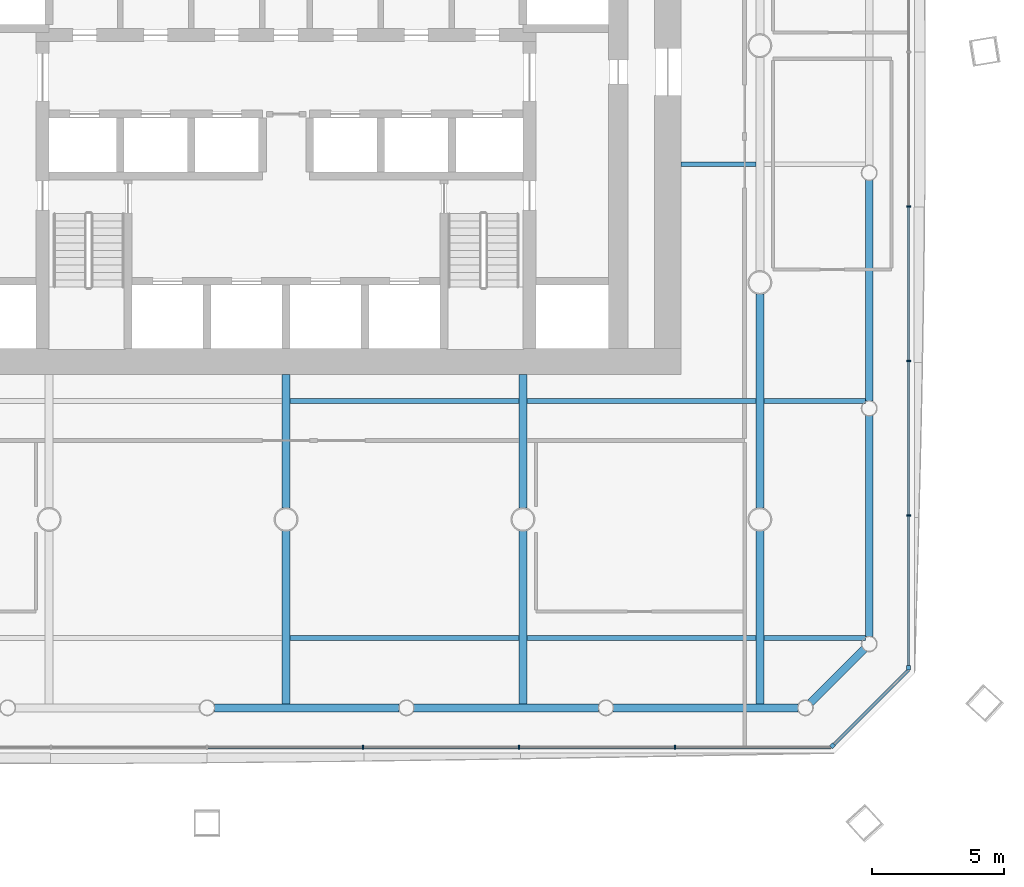
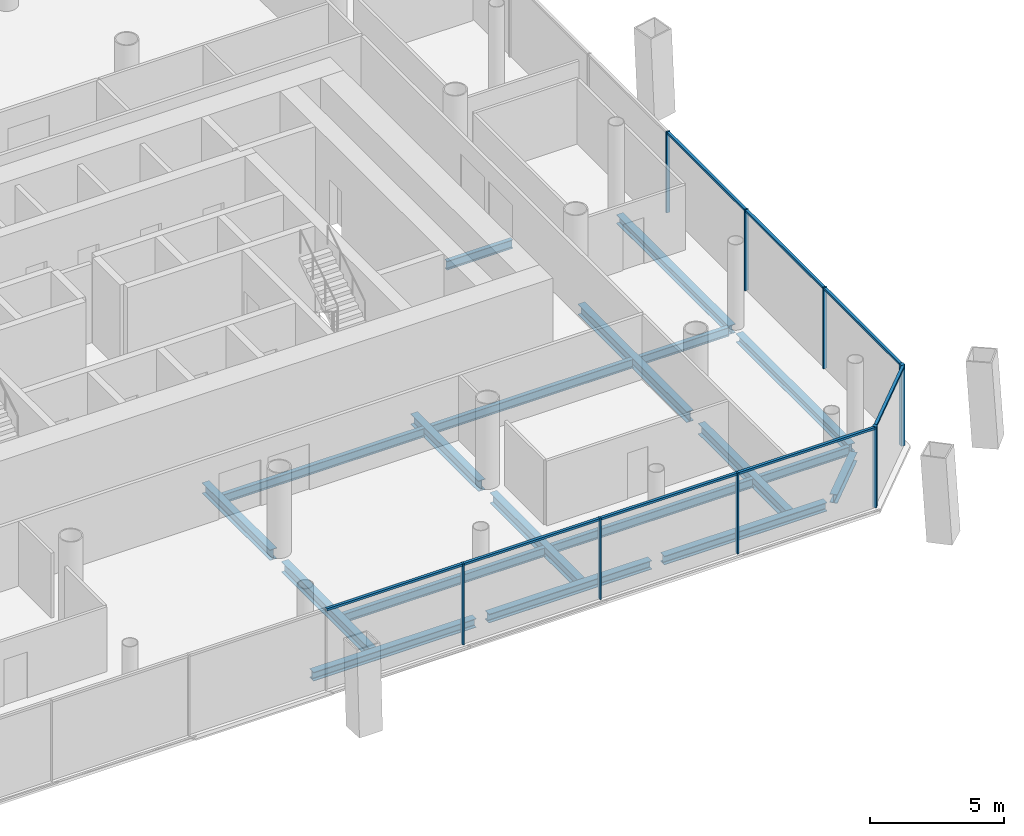
# One storey, part 5 of 21: 19 beams, 16 members, 3 elements without a shape of their own.
"""IFC4 building model written with IfcOpenShell, lengths in metres."""

from ifc_helpers import new_model, si_unit, direction, frame, origin, origin_2d, place, context, subcontext, project, spatial, rectangle, i_section, extrude, material, material_profile, profile_set, type_object, element, aggregate, save


model = new_model("IFC4")

# Units and contexts
model_context = context("Model", 3, precision=1e-05, world=origin(), true_north=direction((0.0, 1.0)))
body_context = subcontext(model_context, "Body", "Model", "MODEL_VIEW")
ifc_project = project(units=[si_unit("LENGTHUNIT", "METRE"), si_unit("AREAUNIT", "SQUARE_METRE"), si_unit("VOLUMEUNIT", "CUBIC_METRE"), si_unit("PLANEANGLEUNIT", "RADIAN"), si_unit("MASSUNIT", "GRAM", prefix="KILO")], contexts=[model_context])

# Site, building, storey
site_placement = place(None, origin())
site = spatial("IfcSite", under=ifc_project, at=site_placement, CompositionType="ELEMENT")
building_placement = place(site_placement, origin())
building = spatial("IfcBuilding", under=site, at=building_placement, Name="Tskaro Facet Tower", CompositionType="ELEMENT")
storey_placement = place(building_placement, frame((0.0, 0.0, 38.10009765625)))
storey = spatial("IfcBuildingStorey", under=building, at=storey_placement, Name="L08", CompositionType="ELEMENT", Elevation=38.10009765625)

# Curtain wall, member
ifc_material_1 = material(Name="Bronze anodised aluminium 6063-T6", Category="aluminium")
curtain_wall_type = type_object("IfcCurtainWallType", Name="Bronze office curtain wall (FW1)", PredefinedType="NOTDEFINED", material=ifc_material_1)
curtain_wall_1_placement = place(storey_placement, origin())
curtain_wall_1 = element("IfcCurtainWall", 1, at=curtain_wall_1_placement, inside=storey, type_object=curtain_wall_type, Name="FW1 south-east facet L08", PredefinedType="NOTDEFINED")
ifc_material_profile_1 = material_profile(ifc_material_1, rectangle(XDim=0.159912109375, YDim=0.159912109375, at=origin_2d()), Name="Corner post 160x160")
ifc_profile_set_1 = profile_set([ifc_material_profile_1], Name="Bronze anodised aluminium 6063-T6")
member_type_1 = type_object("IfcMemberType", Name="FW1 bronze corner post 160x160", PredefinedType="MULLION", material=ifc_profile_set_1)
member_1_placement = place(storey_placement, frame((20.76953125, -26.597412109375, 0.0), z_axis=(0.0, 0.0, 1.0), x_axis=(0.707106781187, 0.707106781187, 0.0)))
member_1 = element("IfcMember", 2, at=member_1_placement, type_object=member_type_1, Name="FW1 south-east corner post", PredefinedType="MULLION", context=body_context, shape_type="SweptSolid", body=[
    extrude(rectangle(XDim=0.159912109375, YDim=0.159912109375, at=origin_2d()), origin(), (0.0, 0.0, 1.0), 3.699951171875),
])

curtain_wall_2_placement = place(storey_placement, origin())
curtain_wall_2 = element("IfcCurtainWall", 3, at=curtain_wall_2_placement, inside=storey, type_object=curtain_wall_type, Name="FW1 east facet L08", PredefinedType="NOTDEFINED")
member_2_placement = place(storey_placement, frame((23.654052734375, -23.633056640625, 0.0), z_axis=(0.0, 0.0, 1.0), x_axis=(0.0, 1.0, 0.0)))
member_2 = element("IfcMember", 4, at=member_2_placement, type_object=member_type_1, Name="FW1 east corner post", PredefinedType="MULLION", context=body_context, shape_type="SweptSolid", body=[
    extrude(rectangle(XDim=0.159912109375, YDim=0.159912109375, at=origin_2d()), origin(), (0.0, 0.0, 1.0), 3.699951171875),
])

# Curtain wall, members
curtain_wall_3_placement = place(storey_placement, origin())
curtain_wall_3 = element("IfcCurtainWall", 5, at=curtain_wall_3_placement, inside=storey, type_object=curtain_wall_type, Name="FW1 south facet L08", PredefinedType="NOTDEFINED")
ifc_material_profile_2 = material_profile(ifc_material_1, rectangle(XDim=0.06005859375, YDim=0.159912109375, at=origin_2d()), Name="Mullion 60x160")
ifc_profile_set_2 = profile_set([ifc_material_profile_2], Name="Bronze anodised aluminium 6063-T6")
member_type_2 = type_object("IfcMemberType", Name="FW1 bronze mullion 60x160", PredefinedType="MULLION", material=ifc_profile_set_2)
member_3_placement = place(storey_placement, frame((2.92822265625, -26.654052734375, 0.0), z_axis=(0.0, 0.0, 1.0), x_axis=(1.0, 0.0, 0.0)))
member_3 = element("IfcMember", 6, at=member_3_placement, type_object=member_type_2, Name="FW1 south mullion 5", PredefinedType="MULLION", context=body_context, shape_type="SweptSolid", body=[
    extrude(rectangle(XDim=0.06005859375, YDim=0.159912109375, at=origin_2d()), origin(), (0.0, 0.0, 1.0), 3.699951171875),
])
member_4_placement = place(storey_placement, frame((8.8564453125, -26.654052734375, 0.0), z_axis=(0.0, 0.0, 1.0), x_axis=(1.0, 0.0, 0.0)))
member_4 = element("IfcMember", 7, at=member_4_placement, type_object=member_type_2, Name="FW1 south mullion 6", PredefinedType="MULLION", context=body_context, shape_type="SweptSolid", body=[
    extrude(rectangle(XDim=0.06005859375, YDim=0.159912109375, at=origin_2d()), origin(), (0.0, 0.0, 1.0), 3.699951171875),
])
member_5_placement = place(storey_placement, frame((14.78466796875, -26.654052734375, 0.0), z_axis=(0.0, 0.0, 1.0), x_axis=(1.0, 0.0, 0.0)))
member_5 = element("IfcMember", 8, at=member_5_placement, type_object=member_type_2, Name="FW1 south mullion 7", PredefinedType="MULLION", context=body_context, shape_type="SweptSolid", body=[
    extrude(rectangle(XDim=0.06005859375, YDim=0.159912109375, at=origin_2d()), origin(), (0.0, 0.0, 1.0), 3.699951171875),
])

# Member
member_6_placement = place(storey_placement, frame((23.654052734375, -17.844482421875, 0.0), z_axis=(0.0, 0.0, 1.0), x_axis=(0.0, 1.0, 0.0)))
member_6 = element("IfcMember", 9, at=member_6_placement, type_object=member_type_2, Name="FW1 east mullion 1", PredefinedType="MULLION", context=body_context, shape_type="SweptSolid", body=[
    extrude(rectangle(XDim=0.06005859375, YDim=0.159912109375, at=origin_2d()), origin(), (0.0, 0.0, 1.0), 3.699951171875),
])

member_7_placement = place(storey_placement, frame((23.654052734375, -11.97607421875, 0.0), z_axis=(0.0, 0.0, 1.0), x_axis=(0.0, 1.0, 0.0)))
member_7 = element("IfcMember", 10, at=member_7_placement, type_object=member_type_2, Name="FW1 east mullion 2", PredefinedType="MULLION", context=body_context, shape_type="SweptSolid", body=[
    extrude(rectangle(XDim=0.06005859375, YDim=0.159912109375, at=origin_2d()), origin(), (0.0, 0.0, 1.0), 3.699951171875),
])

member_8_placement = place(storey_placement, frame((23.654052734375, -6.107421875, 0.0), z_axis=(0.0, 0.0, 1.0), x_axis=(0.0, 1.0, 0.0)))
member_8 = element("IfcMember", 11, at=member_8_placement, type_object=member_type_2, Name="FW1 east mullion 3", PredefinedType="MULLION", context=body_context, shape_type="SweptSolid", body=[
    extrude(rectangle(XDim=0.06005859375, YDim=0.159912109375, at=origin_2d()), origin(), (0.0, 0.0, 1.0), 3.699951171875),
])

ifc_material_profile_3 = material_profile(ifc_material_1, rectangle(XDim=0.1201171875, YDim=0.10009765625, at=origin_2d()), Name="Transom 120x100")
ifc_profile_set_3 = profile_set([ifc_material_profile_3], Name="Bronze anodised aluminium 6063-T6")
member_type_3 = type_object("IfcMemberType", Name="FW1 bronze transom 120x100", PredefinedType="USERDEFINED", material=ifc_profile_set_3)
member_9_placement = place(storey_placement, frame((-2.969970703125, -26.654052734375, 3.64990234375), z_axis=(1.0, 0.0, 0.0), x_axis=(0.0, 1.0, 0.0)))
member_9 = element("IfcMember", 12, at=member_9_placement, type_object=member_type_3, Name="FW1 south transom 5.1", ObjectType="TRANSOM", PredefinedType="USERDEFINED", context=body_context, shape_type="SweptSolid", body=[
    extrude(rectangle(XDim=0.1201171875, YDim=0.10009765625, at=origin_2d()), origin(), (0.0, 0.0, 1.0), 5.8681640625),
])

member_10_placement = place(storey_placement, frame((2.958251953125, -26.654052734375, 3.64990234375), z_axis=(1.0, 0.0, 0.0), x_axis=(0.0, 1.0, 0.0)))
member_10 = element("IfcMember", 13, at=member_10_placement, type_object=member_type_3, Name="FW1 south transom 6.1", ObjectType="TRANSOM", PredefinedType="USERDEFINED", context=body_context, shape_type="SweptSolid", body=[
    extrude(rectangle(XDim=0.1201171875, YDim=0.10009765625, at=origin_2d()), origin(), (0.0, 0.0, 1.0), 5.8681640625),
])

member_11_placement = place(storey_placement, frame((8.886474609375, -26.654052734375, 3.64990234375), z_axis=(1.0, 0.0, 0.0), x_axis=(0.0, 1.0, 0.0)))
member_11 = element("IfcMember", 14, at=member_11_placement, type_object=member_type_3, Name="FW1 south transom 7.1", ObjectType="TRANSOM", PredefinedType="USERDEFINED", context=body_context, shape_type="SweptSolid", body=[
    extrude(rectangle(XDim=0.1201171875, YDim=0.10009765625, at=origin_2d()), origin(), (0.0, 0.0, 1.0), 5.8681640625),
])

member_12_placement = place(storey_placement, frame((14.814697265625, -26.654052734375, 3.64990234375), z_axis=(1.0, 0.0, 0.0), x_axis=(0.0, 1.0, 0.0)))
member_12 = element("IfcMember", 15, at=member_12_placement, type_object=member_type_3, Name="FW1 south transom 8.1", ObjectType="TRANSOM", PredefinedType="USERDEFINED", context=body_context, shape_type="SweptSolid", body=[
    extrude(rectangle(XDim=0.1201171875, YDim=0.10009765625, at=origin_2d()), origin(), (0.0, 0.0, 1.0), 5.898193359375),
])

aggregate(curtain_wall_3, [member_3, member_4, member_5, member_9, member_10, member_11, member_12])

member_13_placement = place(storey_placement, frame((20.826171875, -26.540771484375, 3.64990234375), z_axis=(0.707106781187, 0.707106781187, 0.0), x_axis=(-0.707106781187, 0.707106781187, 0.0)))
member_13 = element("IfcMember", 16, at=member_13_placement, type_object=member_type_3, Name="FW1 south-east transom 1.1", ObjectType="TRANSOM", PredefinedType="USERDEFINED", context=body_context, shape_type="SweptSolid", body=[
    extrude(rectangle(XDim=0.1201171875, YDim=0.10009765625, at=origin_2d()), origin(), (0.0, 0.0, 1.0), 3.999267578125),
])

aggregate(curtain_wall_1, [member_1, member_13])

member_14_placement = place(storey_placement, frame((23.654052734375, -23.552978515625, 3.64990234375), z_axis=(0.0, 1.0, 0.0), x_axis=(-1.0, 0.0, 0.0)))
member_14 = element("IfcMember", 17, at=member_14_placement, type_object=member_type_3, Name="FW1 east transom 1.1", ObjectType="TRANSOM", PredefinedType="USERDEFINED", context=body_context, shape_type="SweptSolid", body=[
    extrude(rectangle(XDim=0.1201171875, YDim=0.10009765625, at=origin_2d()), origin(), (0.0, 0.0, 1.0), 5.678466796875),
])

member_15_placement = place(storey_placement, frame((23.654052734375, -17.814453125, 3.64990234375), z_axis=(0.0, 1.0, 0.0), x_axis=(-1.0, 0.0, 0.0)))
member_15 = element("IfcMember", 18, at=member_15_placement, type_object=member_type_3, Name="FW1 east transom 2.1", ObjectType="TRANSOM", PredefinedType="USERDEFINED", context=body_context, shape_type="SweptSolid", body=[
    extrude(rectangle(XDim=0.1201171875, YDim=0.10009765625, at=origin_2d()), origin(), (0.0, 0.0, 1.0), 5.808349609375),
])

member_16_placement = place(storey_placement, frame((23.654052734375, -11.946044921875, 3.64990234375), z_axis=(0.0, 1.0, 0.0), x_axis=(-1.0, 0.0, 0.0)))
member_16 = element("IfcMember", 19, at=member_16_placement, type_object=member_type_3, Name="FW1 east transom 3.1", ObjectType="TRANSOM", PredefinedType="USERDEFINED", context=body_context, shape_type="SweptSolid", body=[
    extrude(rectangle(XDim=0.1201171875, YDim=0.10009765625, at=origin_2d()), origin(), (0.0, 0.0, 1.0), 5.80859375),
])

aggregate(curtain_wall_2, [member_2, member_6, member_7, member_8, member_14, member_15, member_16])

# Beams
ifc_material_2 = material(Name="Steel S355J2", Category="steel")
ifc_material_profile_4 = material_profile(ifc_material_2, i_section(OverallWidth=0.300048828125, OverallDepth=0.39990234375, WebThickness=0.013427734375, FlangeThickness=0.02392578125, FilletRadius=0.027099609375, at=origin_2d()), Name="HE 400 B")
ifc_profile_set_4 = profile_set([ifc_material_profile_4], Name="Steel S355J2")
beam_type_1 = type_object("IfcBeamType", Name="HE 400 B ring beam", PredefinedType="BEAM", material=ifc_profile_set_4)
beam_1_placement = place(storey_placement, frame((-2.72509765625, -25.156982421875, -0.340087890625), z_axis=(1.0, 0.0, 0.0), x_axis=(0.0, 1.0, 0.0)))
element("IfcBeam", 20, at=beam_1_placement, inside=storey, type_object=beam_type_1, Name="HE 400 B EB4-1", PredefinedType="BEAM", context=body_context, shape_type="SweptSolid", body=[
    extrude(i_section(OverallWidth=0.300048828125, OverallDepth=0.39990234375, WebThickness=0.013427734375, FlangeThickness=0.02392578125, FilletRadius=0.027099609375, at=origin_2d()), origin(), (0.0, 0.0, 1.0), 7.026123046875),
])
beam_2_placement = place(storey_placement, frame((4.85107421875, -25.156982421875, -0.340087890625), z_axis=(1.0, 0.0, 0.0), x_axis=(0.0, 1.0, 0.0)))
element("IfcBeam", 21, at=beam_2_placement, inside=storey, type_object=beam_type_1, Name="HE 400 B EB5-1", PredefinedType="BEAM", context=body_context, shape_type="SweptSolid", body=[
    extrude(i_section(OverallWidth=0.300048828125, OverallDepth=0.39990234375, WebThickness=0.013427734375, FlangeThickness=0.02392578125, FilletRadius=0.027099609375, at=origin_2d()), origin(), (0.0, 0.0, 1.0), 7.02685546875),
])
beam_3_placement = place(storey_placement, frame((12.427978515625, -25.156982421875, -0.340087890625), z_axis=(1.0, 0.0, 0.0), x_axis=(0.0, 1.0, 0.0)))
element("IfcBeam", 22, at=beam_3_placement, inside=storey, type_object=beam_type_1, Name="HE 400 B EB6-1", PredefinedType="BEAM", context=body_context, shape_type="SweptSolid", body=[
    extrude(i_section(OverallWidth=0.300048828125, OverallDepth=0.39990234375, WebThickness=0.013427734375, FlangeThickness=0.02392578125, FilletRadius=0.027099609375, at=origin_2d()), origin(), (0.0, 0.0, 1.0), 7.026123046875),
])
beam_4_placement = place(storey_placement, frame((19.92333984375, -24.962646484375, -0.340087890625), z_axis=(0.707106781187, 0.707106781187, 0.0), x_axis=(-0.707106781187, 0.707106781187, 0.0)))
element("IfcBeam", 23, at=beam_4_placement, inside=storey, type_object=beam_type_1, Name="HE 400 B EB7-1", PredefinedType="BEAM", context=body_context, shape_type="SweptSolid", body=[
    extrude(i_section(OverallWidth=0.300048828125, OverallDepth=0.39990234375, WebThickness=0.013427734375, FlangeThickness=0.02392578125, FilletRadius=0.027099609375, at=origin_2d()), origin(), (0.0, 0.0, 1.0), 2.884033203125),
])
for number, where, z_axis, x_axis, name in (
    (24, (22.156982421875, -22.4541015625, -0.340087890625), (0.0, 1.0, 0.0), (-1.0, 0.0, 0.0), "HE 400 B EB8-1"),
    (25, (22.156982421875, -13.506103515625, -0.340087890625), (0.0, 1.0, 0.0), (-1.0, 0.0, 0.0), "HE 400 B EB9-1"),
):
    element("IfcBeam", number, at=place(storey_placement, frame(where, z_axis=z_axis, x_axis=x_axis)), inside=storey, type_object=beam_type_1, Name=name, PredefinedType="BEAM", context=body_context, shape_type="SweptSolid", body=[
        extrude(i_section(OverallWidth=0.300048828125, OverallDepth=0.39990234375, WebThickness=0.013427734375, FlangeThickness=0.02392578125, FilletRadius=0.027099609375, at=origin_2d()), origin(), (0.0, 0.0, 1.0), 8.398193359375),
    ])
ifc_material_profile_5 = material_profile(ifc_material_2, i_section(OverallWidth=0.300048828125, OverallDepth=0.489990234375, WebThickness=0.011962890625, FlangeThickness=0.02294921875, FilletRadius=0.027099609375, at=origin_2d()), Name="HE 500 A")
ifc_profile_set_5 = profile_set([ifc_material_profile_5], Name="Steel S355J2")
beam_type_2 = type_object("IfcBeamType", Name="HE 500 A girder", PredefinedType="BEAM", material=ifc_profile_set_5)
beam_5_placement = place(storey_placement, frame((0.0, -25.007080078125, -0.385009765625), z_axis=(0.0, 1.0, 0.0), x_axis=(-1.0, 0.0, 0.0)))
element("IfcBeam", 26, at=beam_5_placement, inside=storey, type_object=beam_type_2, Name="HE 500 A GB4-1-1", PredefinedType="BEAM", context=body_context, shape_type="SweptSolid", body=[
    extrude(i_section(OverallWidth=0.300048828125, OverallDepth=0.489990234375, WebThickness=0.011962890625, FlangeThickness=0.02294921875, FilletRadius=0.027099609375, at=origin_2d()), origin(), (0.0, 0.0, 1.0), 6.579833984375),
])
beam_6_placement = place(storey_placement, frame((0.0, -17.57275390625, -0.385009765625), z_axis=(0.0, 1.0, 0.0), x_axis=(-1.0, 0.0, 0.0)))
element("IfcBeam", 27, at=beam_6_placement, inside=storey, type_object=beam_type_2, Name="HE 500 A GB4-2-1", PredefinedType="BEAM", context=body_context, shape_type="SweptSolid", body=[
    extrude(i_section(OverallWidth=0.300048828125, OverallDepth=0.489990234375, WebThickness=0.011962890625, FlangeThickness=0.02294921875, FilletRadius=0.027099609375, at=origin_2d()), origin(), (0.0, 0.0, 1.0), 5.07275390625),
])
beam_7_placement = place(storey_placement, frame((9.0, -25.007080078125, -0.385009765625), z_axis=(0.0, 1.0, 0.0), x_axis=(-1.0, 0.0, 0.0)))
element("IfcBeam", 28, at=beam_7_placement, inside=storey, type_object=beam_type_2, Name="HE 500 A GB5-1-1", PredefinedType="BEAM", context=body_context, shape_type="SweptSolid", body=[
    extrude(i_section(OverallWidth=0.300048828125, OverallDepth=0.489990234375, WebThickness=0.011962890625, FlangeThickness=0.02294921875, FilletRadius=0.027099609375, at=origin_2d()), origin(), (0.0, 0.0, 1.0), 6.579833984375),
])
beam_8_placement = place(storey_placement, frame((9.0, -17.57275390625, -0.385009765625), z_axis=(0.0, 1.0, 0.0), x_axis=(-1.0, 0.0, 0.0)))
element("IfcBeam", 29, at=beam_8_placement, inside=storey, type_object=beam_type_2, Name="HE 500 A GB5-2-1", PredefinedType="BEAM", context=body_context, shape_type="SweptSolid", body=[
    extrude(i_section(OverallWidth=0.300048828125, OverallDepth=0.489990234375, WebThickness=0.011962890625, FlangeThickness=0.02294921875, FilletRadius=0.027099609375, at=origin_2d()), origin(), (0.0, 0.0, 1.0), 5.07275390625),
])
beam_9_placement = place(storey_placement, frame((18.0, -25.007080078125, -0.385009765625), z_axis=(0.0, 1.0, 0.0), x_axis=(-1.0, 0.0, 0.0)))
element("IfcBeam", 30, at=beam_9_placement, inside=storey, type_object=beam_type_2, Name="HE 500 A GB6-1-1", PredefinedType="BEAM", context=body_context, shape_type="SweptSolid", body=[
    extrude(i_section(OverallWidth=0.300048828125, OverallDepth=0.489990234375, WebThickness=0.011962890625, FlangeThickness=0.02294921875, FilletRadius=0.027099609375, at=origin_2d()), origin(), (0.0, 0.0, 1.0), 6.579833984375),
])
beam_10_placement = place(storey_placement, frame((18.0, -17.57275390625, -0.385009765625), z_axis=(0.0, 1.0, 0.0), x_axis=(-1.0, 0.0, 0.0)))
element("IfcBeam", 31, at=beam_10_placement, inside=storey, type_object=beam_type_2, Name="HE 500 A GB6-2-1", PredefinedType="BEAM", context=body_context, shape_type="SweptSolid", body=[
    extrude(i_section(OverallWidth=0.300048828125, OverallDepth=0.489990234375, WebThickness=0.011962890625, FlangeThickness=0.02294921875, FilletRadius=0.027099609375, at=origin_2d()), origin(), (0.0, 0.0, 1.0), 8.1455078125),
])
ifc_material_profile_6 = material_profile(ifc_material_2, i_section(OverallWidth=0.179931640625, OverallDepth=0.39990234375, WebThickness=0.008544921875, FlangeThickness=0.013427734375, FilletRadius=0.02099609375, at=origin_2d()), Name="IPE 400")
ifc_profile_set_6 = profile_set([ifc_material_profile_6], Name="Steel S355J2")
beam_type_3 = type_object("IfcBeamType", Name="IPE 400 secondary beam", PredefinedType="BEAM", material=ifc_profile_set_6)
for number, where, z_axis, x_axis, name in (
    (32, (0.14990234375, -22.5, -0.340087890625), (1.0, 0.0, 0.0), (0.0, 1.0, 0.0), "IPE 400 SB1a-4-1"),
    (33, (9.14990234375, -22.5, -0.340087890625), (1.0, 0.0, 0.0), (0.0, 1.0, 0.0), "IPE 400 SB1a-5-1"),
):
    element("IfcBeam", number, at=place(storey_placement, frame(where, z_axis=z_axis, x_axis=x_axis)), inside=storey, type_object=beam_type_3, Name=name, PredefinedType="BEAM", context=body_context, shape_type="SweptSolid", body=[
        extrude(i_section(OverallWidth=0.179931640625, OverallDepth=0.39990234375, WebThickness=0.008544921875, FlangeThickness=0.013427734375, FilletRadius=0.02099609375, at=origin_2d()), origin(), (0.0, 0.0, 1.0), 8.7001953125),
    ])
beam_11_placement = place(storey_placement, frame((18.14990234375, -22.5, -0.340087890625), z_axis=(1.0, 0.0, 0.0), x_axis=(0.0, 1.0, 0.0)))
element("IfcBeam", 34, at=beam_11_placement, inside=storey, type_object=beam_type_3, Name="IPE 400 SB1a-6-1", PredefinedType="BEAM", context=body_context, shape_type="SweptSolid", body=[
    extrude(i_section(OverallWidth=0.179931640625, OverallDepth=0.39990234375, WebThickness=0.008544921875, FlangeThickness=0.013427734375, FilletRadius=0.02099609375, at=origin_2d()), origin(), (0.0, 0.0, 1.0), 3.857177734375),
])
for number, where, z_axis, x_axis, name in (
    (35, (0.14990234375, -13.5, -0.340087890625), (1.0, 0.0, 0.0), (0.0, 1.0, 0.0), "IPE 400 SB2a-4-1"),
    (36, (9.14990234375, -13.5, -0.340087890625), (1.0, 0.0, 0.0), (0.0, 1.0, 0.0), "IPE 400 SB2a-5-1"),
):
    element("IfcBeam", number, at=place(storey_placement, frame(where, z_axis=z_axis, x_axis=x_axis)), inside=storey, type_object=beam_type_3, Name=name, PredefinedType="BEAM", context=body_context, shape_type="SweptSolid", body=[
        extrude(i_section(OverallWidth=0.179931640625, OverallDepth=0.39990234375, WebThickness=0.008544921875, FlangeThickness=0.013427734375, FilletRadius=0.02099609375, at=origin_2d()), origin(), (0.0, 0.0, 1.0), 8.7001953125),
    ])
beam_12_placement = place(storey_placement, frame((18.14990234375, -13.5, -0.340087890625), z_axis=(1.0, 0.0, 0.0), x_axis=(0.0, 1.0, 0.0)))
element("IfcBeam", 37, at=beam_12_placement, inside=storey, type_object=beam_type_3, Name="IPE 400 SB2a-6-1", PredefinedType="BEAM", context=body_context, shape_type="SweptSolid", body=[
    extrude(i_section(OverallWidth=0.179931640625, OverallDepth=0.39990234375, WebThickness=0.008544921875, FlangeThickness=0.013427734375, FilletRadius=0.02099609375, at=origin_2d()), origin(), (0.0, 0.0, 1.0), 3.857177734375),
])
beam_13_placement = place(storey_placement, frame((15.0, -4.5, -0.340087890625), z_axis=(1.0, 0.0, 0.0), x_axis=(0.0, 1.0, 0.0)))
element("IfcBeam", 38, at=beam_13_placement, inside=storey, type_object=beam_type_3, Name="IPE 400 SB3a-3-1", PredefinedType="BEAM", context=body_context, shape_type="SweptSolid", body=[
    extrude(i_section(OverallWidth=0.179931640625, OverallDepth=0.39990234375, WebThickness=0.008544921875, FlangeThickness=0.013427734375, FilletRadius=0.02099609375, at=origin_2d()), origin(), (0.0, 0.0, 1.0), 2.85009765625),
])

save(model, "model.ifc")
